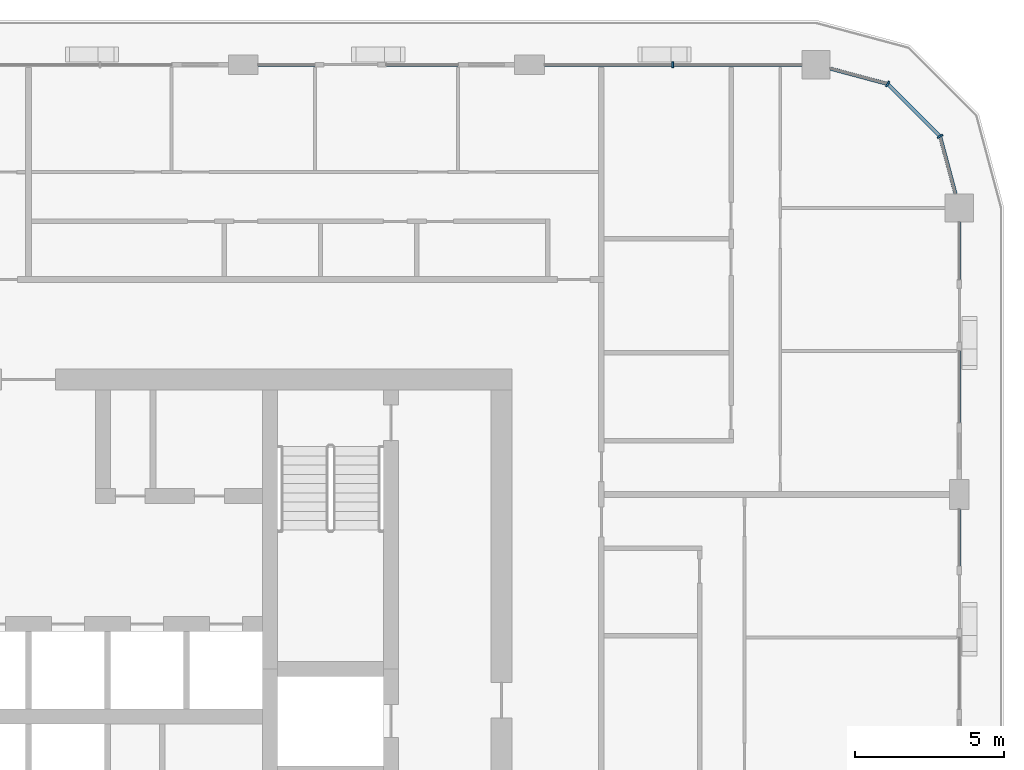
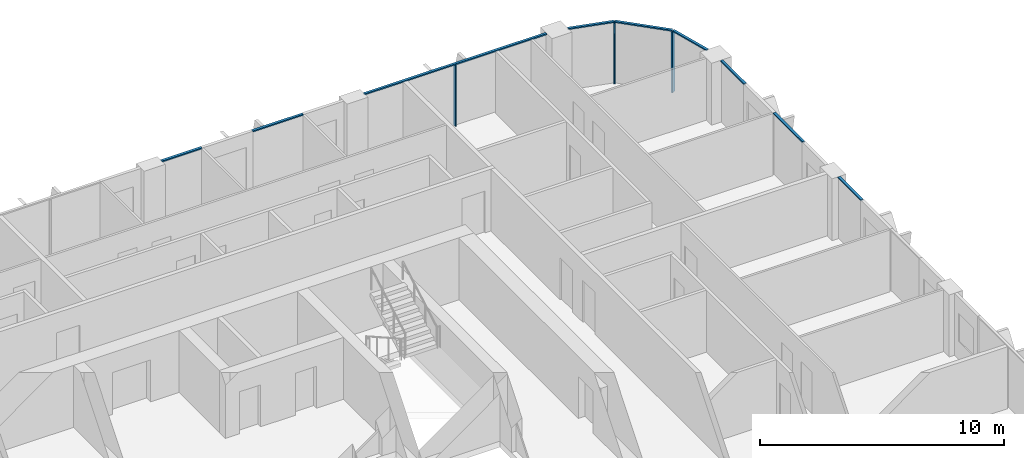
# One storey, part 6 of 22: 12 members, 5 elements without a shape of their own.
"""IFC4 building model written with IfcOpenShell, lengths in metres."""

from ifc_helpers import new_model, si_unit, direction, frame, origin, origin_2d, place, context, subcontext, project, spatial, rectangle, extrude, material, layer, layer_set, material_profile, profile_set, type_object, element, aggregate, save


model = new_model("IFC4")

# Units and contexts
model_context = context("Model", 3, precision=1e-05, world=origin(), true_north=direction((0.0, 1.0)))
body_context = subcontext(model_context, "Body", "Model", "MODEL_VIEW")
ifc_project = project(units=[si_unit("LENGTHUNIT", "METRE"), si_unit("AREAUNIT", "SQUARE_METRE"), si_unit("VOLUMEUNIT", "CUBIC_METRE"), si_unit("PLANEANGLEUNIT", "RADIAN"), si_unit("MASSUNIT", "GRAM", prefix="KILO")], contexts=[model_context])

# Site, building, storey
site_placement = place(None, origin())
site = spatial("IfcSite", under=ifc_project, at=site_placement, CompositionType="ELEMENT")
building_placement = place(site_placement, origin())
building = spatial("IfcBuilding", under=site, at=building_placement, Name="Madar Terraces", CompositionType="ELEMENT")
storey_placement = place(building_placement, frame((0.0, 0.0, 199.89990234375)))
storey = spatial("IfcBuildingStorey", under=building, at=storey_placement, Name="L52", CompositionType="ELEMENT", Elevation=199.89990234375)

# Curtain wall, member
ifc_material_1 = material(Name="Glass, ceramic frit dark grey, with black aluminium frame", Category="aluminium")
ifc_layer = layer(ifc_material_1, 0.199951171875)
ifc_layer_set = layer_set([ifc_layer], Name="Facade curtain wall, fritted glass")
curtain_wall_type = type_object("IfcCurtainWallType", Name="Facade curtain wall, fritted glass", PredefinedType="NOTDEFINED", material=ifc_layer_set)
curtain_wall_1_placement = place(storey_placement, origin())
curtain_wall_1 = element("IfcCurtainWall", 1, at=curtain_wall_1_placement, inside=storey, type_object=curtain_wall_type, Name="Outer skin curtain wall north bay 1", PredefinedType="NOTDEFINED")
ifc_material_2 = material(Name="Aluminium, black anodised", Category="aluminium")
ifc_material_profile_1 = material_profile(ifc_material_2, rectangle(XDim=0.199951171875, YDim=0.06005859375, at=origin_2d()), Name="Facade mullion 60x200")
ifc_profile_set_1 = profile_set([ifc_material_profile_1], Name="Aluminium, black anodised")
member_type_1 = type_object("IfcMemberType", Name="Facade mullion 60x200", PredefinedType="MULLION", material=ifc_profile_set_1)
member_1_placement = place(storey_placement, frame((52.800048828125, 48.0, 0.0), z_axis=(0.0, 0.0, 1.0), x_axis=(0.0, -1.0, 0.0)))
member_1 = element("IfcMember", 2, at=member_1_placement, type_object=member_type_1, Name="Mullion 1", PredefinedType="MULLION", context=body_context, shape_type="SweptSolid", body=[
    extrude(rectangle(XDim=0.199951171875, YDim=0.06005859375, at=origin_2d()), origin(), (0.0, 0.0, 1.0), 3.0400390625),
])

# Curtain wall, members
curtain_wall_2_placement = place(storey_placement, origin())
curtain_wall_2 = element("IfcCurtainWall", 3, at=curtain_wall_2_placement, inside=storey, type_object=curtain_wall_type, Name="Outer skin curtain wall north-east corner", PredefinedType="NOTDEFINED")
member_2_placement = place(storey_placement, frame((61.7568359375, 45.60009765625, 0.0), z_axis=(0.0, 0.0, 1.0), x_axis=(-0.866025409797, -0.499999989586, 0.0)))
member_2 = element("IfcMember", 4, at=member_2_placement, type_object=member_type_1, Name="Mullion 1", PredefinedType="MULLION", context=body_context, shape_type="SweptSolid", body=[
    extrude(rectangle(XDim=0.199951171875, YDim=0.06005859375, at=origin_2d()), origin(), (0.0, 0.0, 1.0), 3.0400390625),
])
member_3_placement = place(storey_placement, frame((60.0, 47.35693359375, 0.0), z_axis=(0.0, 0.0, 1.0), x_axis=(-0.499999989586, -0.866025409797, 0.0)))
member_3 = element("IfcMember", 5, at=member_3_placement, type_object=member_type_1, Name="Mullion 2", PredefinedType="MULLION", context=body_context, shape_type="SweptSolid", body=[
    extrude(rectangle(XDim=0.199951171875, YDim=0.06005859375, at=origin_2d()), origin(), (0.0, 0.0, 1.0), 3.0400390625),
])

# Curtain wall, member
curtain_wall_3_placement = place(storey_placement, origin())
curtain_wall_3 = element("IfcCurtainWall", 6, at=curtain_wall_3_placement, inside=storey, type_object=curtain_wall_type, Name="Outer skin curtain wall east bay 3", PredefinedType="NOTDEFINED")
ifc_material_3 = material(Name="Aluminium, black anodised", Category="aluminium")
ifc_material_profile_2 = material_profile(ifc_material_3, rectangle(XDim=0.1201171875, YDim=0.06005859375, at=origin_2d()), Name="Facade transom 60x120")
ifc_profile_set_2 = profile_set([ifc_material_profile_2], Name="Aluminium, black anodised")
member_type_2 = type_object("IfcMemberType", Name="Facade transom 60x120", PredefinedType="USERDEFINED", material=ifc_profile_set_2)
member_4_placement = place(storey_placement, frame((62.39990234375, 31.199951171875, 3.070068359375), z_axis=(0.0, 1.0, 0.0), x_axis=(-1.0, 0.0, 0.0)))
member_4 = element("IfcMember", 7, at=member_4_placement, type_object=member_type_2, Name="Transom 2", ObjectType="TRANSOM", PredefinedType="USERDEFINED", context=body_context, shape_type="SweptSolid", body=[
    extrude(rectangle(XDim=0.1201171875, YDim=0.06005859375, at=origin_2d()), origin(), (0.0, 0.0, 1.0), 1.900146484375),
])
aggregate(curtain_wall_3, [member_4])

# Curtain wall, members
curtain_wall_4_placement = place(storey_placement, origin())
curtain_wall_4 = element("IfcCurtainWall", 8, at=curtain_wall_4_placement, inside=storey, type_object=curtain_wall_type, Name="Outer skin curtain wall east bay 4", PredefinedType="NOTDEFINED")
member_5_placement = place(storey_placement, frame((62.39990234375, 36.0, 3.070068359375), z_axis=(0.0, 1.0, 0.0), x_axis=(-1.0, 0.0, 0.0)))
member_5 = element("IfcMember", 9, at=member_5_placement, type_object=member_type_2, Name="Transom 1", ObjectType="TRANSOM", PredefinedType="USERDEFINED", context=body_context, shape_type="SweptSolid", body=[
    extrude(rectangle(XDim=0.1201171875, YDim=0.06005859375, at=origin_2d()), origin(), (0.0, 0.0, 1.0), 2.39990234375),
])
member_6_placement = place(storey_placement, frame((62.39990234375, 40.800048828125, 3.070068359375), z_axis=(0.0, 1.0, 0.0), x_axis=(-1.0, 0.0, 0.0)))
member_6 = element("IfcMember", 10, at=member_6_placement, type_object=member_type_2, Name="Transom 2", ObjectType="TRANSOM", PredefinedType="USERDEFINED", context=body_context, shape_type="SweptSolid", body=[
    extrude(rectangle(XDim=0.1201171875, YDim=0.06005859375, at=origin_2d()), origin(), (0.0, 0.0, 1.0), 1.925048828125),
])
aggregate(curtain_wall_4, [member_5, member_6])

# Member
member_7_placement = place(storey_placement, frame((57.125, 48.0, 3.070068359375), z_axis=(-1.0, 0.0, 0.0), x_axis=(0.0, -1.0, 0.0)))
member_7 = element("IfcMember", 11, at=member_7_placement, type_object=member_type_2, Name="Transom 1", ObjectType="TRANSOM", PredefinedType="USERDEFINED", context=body_context, shape_type="SweptSolid", body=[
    extrude(rectangle(XDim=0.1201171875, YDim=0.06005859375, at=origin_2d()), origin(), (0.0, 0.0, 1.0), 8.625),
])

aggregate(curtain_wall_1, [member_1, member_7])

# Curtain wall, members
curtain_wall_5_placement = place(storey_placement, origin())
curtain_wall_5 = element("IfcCurtainWall", 12, at=curtain_wall_5_placement, inside=storey, type_object=curtain_wall_type, Name="Outer skin curtain wall north bay 2", PredefinedType="NOTDEFINED")
member_8_placement = place(storey_placement, frame((45.60009765625, 48.0, 3.070068359375), z_axis=(-1.0, 0.0, 0.0), x_axis=(0.0, -1.0, 0.0)))
member_8 = element("IfcMember", 13, at=member_8_placement, type_object=member_type_2, Name="Transom 1", ObjectType="TRANSOM", PredefinedType="USERDEFINED", context=body_context, shape_type="SweptSolid", body=[
    extrude(rectangle(XDim=0.1201171875, YDim=0.06005859375, at=origin_2d()), origin(), (0.0, 0.0, 1.0), 2.400146484375),
])
member_9_placement = place(storey_placement, frame((40.800048828125, 48.0, 3.070068359375), z_axis=(-1.0, 0.0, 0.0), x_axis=(0.0, -1.0, 0.0)))
member_9 = element("IfcMember", 14, at=member_9_placement, type_object=member_type_2, Name="Transom 2", ObjectType="TRANSOM", PredefinedType="USERDEFINED", context=body_context, shape_type="SweptSolid", body=[
    extrude(rectangle(XDim=0.1201171875, YDim=0.06005859375, at=origin_2d()), origin(), (0.0, 0.0, 1.0), 1.900146484375),
])
aggregate(curtain_wall_5, [member_8, member_9])

# Member
member_10_placement = place(storey_placement, frame((62.272705078125, 43.675048828125, 3.070068359375), z_axis=(-0.258831412352, 0.96592251241, 0.0), x_axis=(-0.96592251241, -0.258831412352, 0.0)))
member_10 = element("IfcMember", 15, at=member_10_placement, type_object=member_type_2, Name="Transom 1", ObjectType="TRANSOM", PredefinedType="USERDEFINED", context=body_context, shape_type="SweptSolid", body=[
    extrude(rectangle(XDim=0.1201171875, YDim=0.06005859375, at=origin_2d()), origin(), (0.0, 0.0, 1.0), 1.962890625),
])

member_11_placement = place(storey_placement, frame((61.735595703125, 45.62109375, 3.070068359375), z_axis=(-0.707056433593, 0.707157125196, 0.0), x_axis=(-0.707157125196, -0.707056433593, 0.0)))
member_11 = element("IfcMember", 16, at=member_11_placement, type_object=member_type_2, Name="Transom 2", ObjectType="TRANSOM", PredefinedType="USERDEFINED", context=body_context, shape_type="SweptSolid", body=[
    extrude(rectangle(XDim=0.1201171875, YDim=0.06005859375, at=origin_2d()), origin(), (0.0, 0.0, 1.0), 2.424560546875),
])

member_12_placement = place(storey_placement, frame((59.970947265625, 47.36474609375, 3.070068359375), z_axis=(-0.96592251241, 0.258831412352, 0.0), x_axis=(-0.258831412352, -0.96592251241, 0.0)))
member_12 = element("IfcMember", 17, at=member_12_placement, type_object=member_type_2, Name="Transom 3", ObjectType="TRANSOM", PredefinedType="USERDEFINED", context=body_context, shape_type="SweptSolid", body=[
    extrude(rectangle(XDim=0.1201171875, YDim=0.06005859375, at=origin_2d()), origin(), (0.0, 0.0, 1.0), 1.962890625),
])

aggregate(curtain_wall_2, [member_2, member_10, member_3, member_11, member_12])

save(model, "model.ifc")
